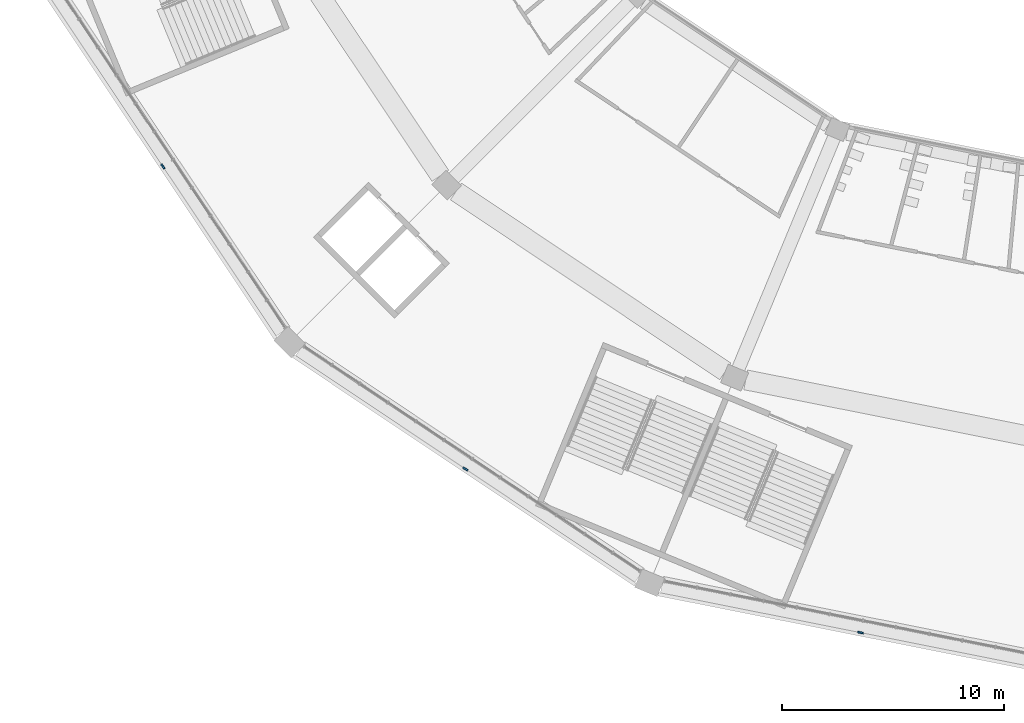
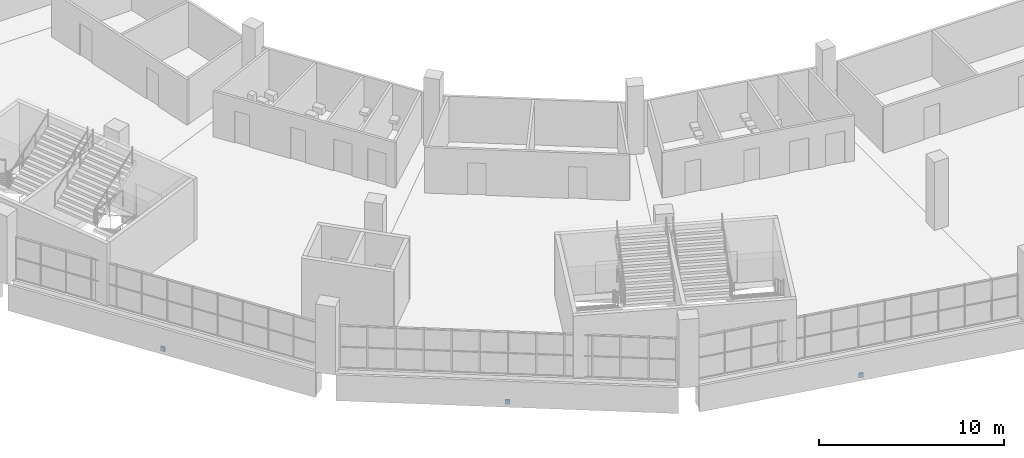
# One storey, part 88 of 199: 3 discrete accessories.
"""IFC4 building model written with IfcOpenShell, lengths in metres."""

from ifc_helpers import new_model, si_unit, direction, frame, origin, origin_2d, place, context, subcontext, project, spatial, rectangle, extrude, material, layer, layer_set, type_object, element, save


model = new_model("IFC4")

# Units and contexts
model_context = context("Model", 3, precision=1e-05, world=origin(), true_north=direction((0.0, 1.0)))
body_context = subcontext(model_context, "Body", "Model", "MODEL_VIEW")
ifc_project = project(units=[si_unit("LENGTHUNIT", "METRE"), si_unit("AREAUNIT", "SQUARE_METRE"), si_unit("VOLUMEUNIT", "CUBIC_METRE"), si_unit("PLANEANGLEUNIT", "RADIAN"), si_unit("MASSUNIT", "GRAM", prefix="KILO")], contexts=[model_context])

# Site, building, storey
site_placement = place(None, origin())
site = spatial("IfcSite", under=ifc_project, at=site_placement, CompositionType="ELEMENT")
building_placement = place(site_placement, origin())
building = spatial("IfcBuilding", under=site, at=building_placement, Name="Ogive Plaza Stadium", CompositionType="ELEMENT")
storey_placement = place(building_placement, frame((0.0, 0.0, 9.0)))
storey = spatial("IfcBuildingStorey", under=building, at=storey_placement, Name="L02", CompositionType="ELEMENT", Elevation=9.0)

# Discrete accessories
ifc_material = material(Name="Steel ASTM A572 Grade 50", Category="steel")
ifc_layer = layer(ifc_material, 0.080078125)
ifc_layer_set = layer_set([ifc_layer], Name="Steel ASTM A572 Grade 50")
discrete_accessory_type = type_object("IfcDiscreteAccessoryType", Name="Spandrel cladding bracket 250x300", PredefinedType="BRACKET", material=ifc_layer_set)
for number, where, z_axis, x_axis, name in (
    (1, (-43.635498046875, -100.940185546875, -1.60986328125), (0.0, 0.0, 1.0), (-0.980785280413, 0.195090321965, 0.0), "SPANDREL BRACKET B17 L02"),
    (2, (-61.439208984375, -93.565673828125, -1.60986328125), (0.0, 0.0, 1.0), (-0.831469612312, 0.555570233005, 0.0), "SPANDREL BRACKET B18 L02"),
    (3, (-75.065673828125, -79.939208984375, -1.60986328125), (0.0, 0.0, 1.0), (-0.555570233005, 0.831469612312, 0.0), "SPANDREL BRACKET B19 L02"),
):
    element("IfcDiscreteAccessory", number, at=place(storey_placement, frame(where, z_axis=z_axis, x_axis=x_axis)), inside=storey, type_object=discrete_accessory_type, Name=name, PredefinedType="BRACKET", context=body_context, shape_type="SweptSolid", body=[
        extrude(rectangle(XDim=0.25, YDim=0.080078125, at=origin_2d()), origin(), (0.0, 0.0, 1.0), 0.300048828125),
    ])

save(model, "model.ifc")
